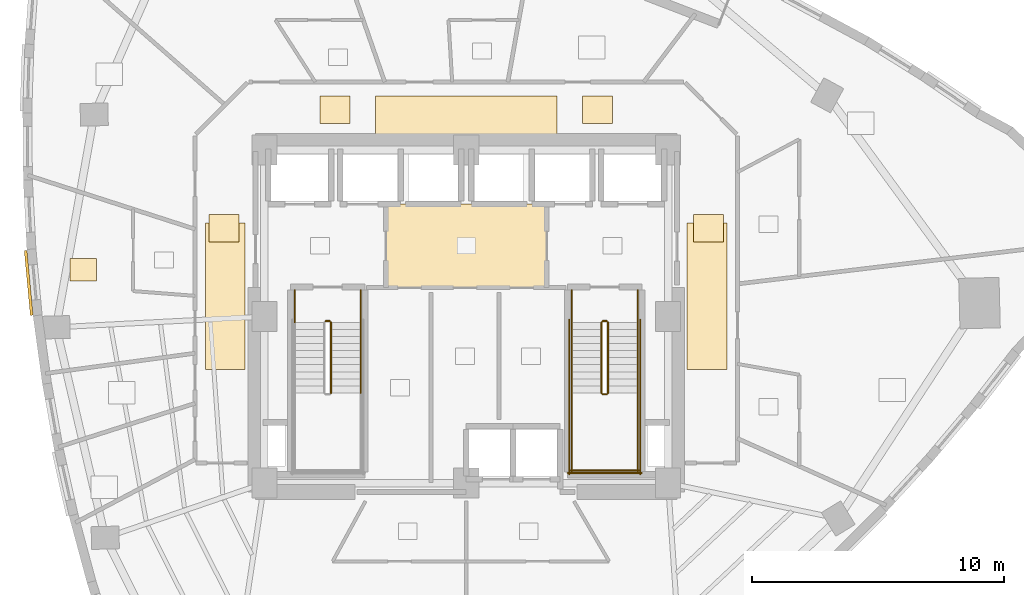
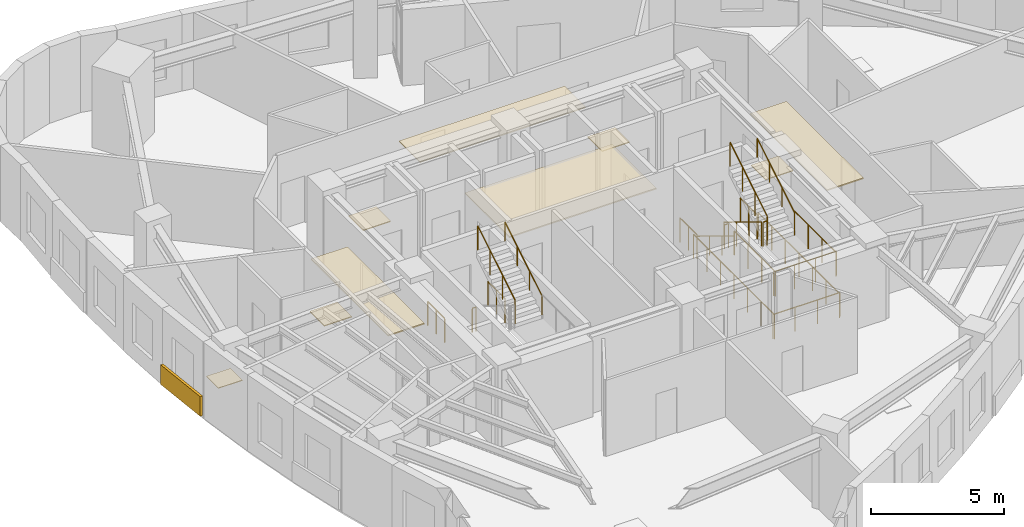
# One storey, part 11 of 12: 19 railings, 10 coverings.
"""IFC4 building model written with IfcOpenShell, lengths in metres."""

from ifc_helpers import new_model, si_unit, direction, frame, origin, origin_2d, place, context, subcontext, project, spatial, rectangle, circle, extrude, material, layer, layer_set, type_object, element, save


model = new_model("IFC4")

# Units and contexts
model_context = context("Model", 3, precision=1e-05, world=origin(), true_north=direction((0.0, 1.0)))
body_context = subcontext(model_context, "Body", "Model", "MODEL_VIEW")
ifc_project = project(units=[si_unit("LENGTHUNIT", "METRE"), si_unit("AREAUNIT", "SQUARE_METRE"), si_unit("VOLUMEUNIT", "CUBIC_METRE"), si_unit("PLANEANGLEUNIT", "RADIAN"), si_unit("MASSUNIT", "GRAM", prefix="KILO")], contexts=[model_context])

# Site, building, storey
site_placement = place(None, origin())
site = spatial("IfcSite", under=ifc_project, at=site_placement, CompositionType="ELEMENT")
building_placement = place(site_placement, origin())
building = spatial("IfcBuilding", under=site, at=building_placement, Name="Ndelora Gate Hotel", CompositionType="ELEMENT")
storey_placement = place(building_placement, frame((0.0, 0.0, 161.0)))
storey = spatial("IfcBuildingStorey", under=building, at=storey_placement, Name="L40", CompositionType="ELEMENT", Elevation=161.0)

# Coverings
ifc_material_1 = material(Name="Perforated Acoustic Gypsum Board", Category="gypsum")
ifc_layer_1 = layer(ifc_material_1, 0.054931640625)
ifc_layer_set_1 = layer_set([ifc_layer_1], Name="Perforated Acoustic Gypsum Board")
covering_type_1 = type_object("IfcCoveringType", Name="COV-CEIL-AC60", PredefinedType="CEILING", material=ifc_layer_set_1)
covering_1_placement = place(storey_placement, frame((0.0, 2.800048828125, 2.72265625), z_axis=(0.0, 0.0, 1.0), x_axis=(1.0, 0.0, 0.0)))
element("IfcCovering", 1, at=covering_1_placement, inside=storey, type_object=covering_type_1, Name="L40 Lift Lobby Acoustic Ceiling", PredefinedType="CEILING", context=body_context, shape_type="SweptSolid", body=[
    extrude(rectangle(XDim=6.39990234375, YDim=3.340087890625, at=origin_2d()), origin(), (0.0, 0.0, 1.0), 0.054931640625),
])
covering_2_placement = place(storey_placement, frame((0.0, 7.9599609375, 2.65234375), z_axis=(0.0, 0.0, 1.0), x_axis=(1.0, 0.0, 0.0)))
element("IfcCovering", 2, at=covering_2_placement, inside=storey, type_object=covering_type_1, Name="L40 Guest Corridor Acoustic Ceiling N", PredefinedType="CEILING", context=body_context, shape_type="SweptSolid", body=[
    extrude(rectangle(XDim=7.199951171875, YDim=1.580078125, at=origin_2d()), origin(), (0.0, 0.0, 1.0), 0.054931640625),
])
for number, where, z_axis, x_axis, name in (
    (3, (-9.550048828125, 0.800048828125, 2.65234375), (0.0, 0.0, 1.0), (1.0, 0.0, 0.0), "L40 Guest Corridor Acoustic Ceiling W"),
    (4, (9.550048828125, 0.800048828125, 2.65234375), (0.0, 0.0, 1.0), (1.0, 0.0, 0.0), "L40 Guest Corridor Acoustic Ceiling E"),
):
    element("IfcCovering", number, at=place(storey_placement, frame(where, z_axis=z_axis, x_axis=x_axis)), inside=storey, type_object=covering_type_1, Name=name, PredefinedType="CEILING", context=body_context, shape_type="SweptSolid", body=[
        extrude(rectangle(XDim=1.580078125, YDim=5.800048828125, at=origin_2d()), origin(), (0.0, 0.0, 1.0), 0.054931640625),
    ])
ifc_material_2 = material(Name="Terracotta Fired Clay Brick Slip Cladding", Category="masonry")
ifc_layer_2 = layer(ifc_material_2, 0.110107421875)
ifc_layer_set_2 = layer_set([ifc_layer_2], Name="Terracotta Fired Clay Brick Slip Cladding")
covering_type_2 = type_object("IfcCoveringType", Name="COV-CLAD-BRK", PredefinedType="CLADDING", material=ifc_layer_set_2)
covering_3_placement = place(storey_placement, frame((-17.343505859375, 1.336669921875, 0.10009765625), z_axis=(0.0, 0.0, 1.0), x_axis=(-0.093239485886, 0.995643710507, 0.0)))
element("IfcCovering", 5, at=covering_3_placement, inside=storey, type_object=covering_type_2, Name="L40 Rounded-Corner Brick Cladding Band 13", PredefinedType="CLADDING", context=body_context, shape_type="SweptSolid", body=[
    extrude(rectangle(XDim=2.583984375, YDim=0.110107421875, at=origin_2d()), origin(), (0.0, 0.0, 1.0), 0.89990234375),
])
ifc_material_3 = material(Name="Engineered Highland Oak Parquet", Category="wood")
ifc_layer_3 = layer(ifc_material_3, 0.030029296875)
ifc_layer_set_3 = layer_set([ifc_layer_3], Name="Engineered Highland Oak Parquet")
covering_type_3 = type_object("IfcCoveringType", Name="COV-FLR-PARQ", PredefinedType="FLOORING", material=ifc_layer_set_3)
covering_4_placement = place(storey_placement, frame((-15.17919921875, 1.85302734375, 0.0), z_axis=(0.0, 0.0, 1.0), x_axis=(1.0, 0.0, 0.0)))
element("IfcCovering", 6, at=covering_4_placement, inside=storey, type_object=covering_type_3, Name="L40 Club Twin Guest Room 4307 Oak Parquet Flooring", PredefinedType="FLOORING", context=body_context, shape_type="SweptSolid", body=[
    extrude(rectangle(XDim=1.050048828125, YDim=0.89990234375, at=origin_2d()), origin(), (0.0, 0.0, 1.0), 0.030029296875),
])
ifc_material_4 = material(Name="Polished Highland Stone Terrazzo", Category="masonry")
ifc_layer_4 = layer(ifc_material_4, 0.034912109375)
ifc_layer_set_4 = layer_set([ifc_layer_4], Name="Polished Highland Stone Terrazzo")
covering_type_4 = type_object("IfcCoveringType", Name="COV-FLR-TERZ", PredefinedType="FLOORING", material=ifc_layer_set_4)
for number, where, z_axis, x_axis, name in (
    (7, (-5.199951171875, 8.199951171875, 0.0), (0.0, 0.0, 1.0), (1.0, 0.0, 0.0), "L40 Corridor Threshold Terrazzo Inlay NW"),
    (8, (5.199951171875, 8.199951171875, 0.0), (0.0, 0.0, 1.0), (1.0, 0.0, 0.0), "L40 Corridor Threshold Terrazzo Inlay NE"),
    (9, (-9.60009765625, 3.5, 0.0), (0.0, 0.0, 1.0), (1.0, 0.0, 0.0), "L40 Corridor Threshold Terrazzo Inlay W"),
    (10, (9.60009765625, 3.5, 0.0), (0.0, 0.0, 1.0), (1.0, 0.0, 0.0), "L40 Corridor Threshold Terrazzo Inlay E"),
):
    element("IfcCovering", number, at=place(storey_placement, frame(where, z_axis=z_axis, x_axis=x_axis)), inside=storey, type_object=covering_type_4, Name=name, PredefinedType="FLOORING", context=body_context, shape_type="SweptSolid", body=[
        extrude(rectangle(XDim=1.199951171875, YDim=1.10009765625, at=origin_2d()), origin(), (0.0, 0.0, 1.0), 0.034912109375),
    ])

# Railings
ifc_material_5 = material(Name="Painted Galvanized Steel Balustrade", Category="steel")
ifc_layer_5 = layer(ifc_material_5, 0.06005859375)
ifc_layer_set_5 = layer_set([ifc_layer_5], Name="Painted Galvanized Steel Balustrade")
railing_type_1 = type_object("IfcRailingType", Name="RL-STAIR-GD", PredefinedType="GUARDRAIL", material=ifc_layer_set_5)
railing_1_placement = place(storey_placement, frame((-5.360107421875, -3.030029296875, 2.04541015625)))
element("IfcRailing", 11, at=railing_1_placement, inside=storey, type_object=railing_type_1, Name="L40 ST4 stair guard 6", PredefinedType="GUARDRAIL", context=body_context, shape_type="SweptSolid", body=[
    extrude(circle(Radius=0.02392578125, at=origin_2d()), frame((0.0, 0.0, 1.10595703125), z_axis=(0.0, 0.854169791009, 0.51999420009), x_axis=(-1.0, 0.0, 0.0)), (0.0, 0.0, 1.0), 3.278076171875),
    extrude(circle(Radius=0.02099609375, at=origin_2d()), origin(), (0.0, 0.0, 1.0), 1.081787109375),
    extrude(circle(Radius=0.02099609375, at=origin_2d()), frame((0.0, 0.933349609375, 0.568115234375)), (0.0, 0.0, 1.0), 1.081787109375),
    extrude(circle(Radius=0.02099609375, at=origin_2d()), frame((0.0, 1.86669921875, 1.136474609375)), (0.0, 0.0, 1.0), 1.081787109375),
    extrude(circle(Radius=0.02099609375, at=origin_2d()), frame((0.0, 2.800048828125, 1.70458984375)), (0.0, 0.0, 1.0), 1.081787109375),
])
railing_2_placement = place(storey_placement, frame((-5.570068359375, -0.179931640625, 0.0)))
element("IfcRailing", 12, at=railing_2_placement, inside=storey, type_object=railing_type_1, Name="L40 ST4 stair guard 7", PredefinedType="GUARDRAIL", context=body_context, shape_type="SweptSolid", body=[
    extrude(circle(Radius=0.02392578125, at=origin_2d()), frame((0.0, 0.0, 1.10595703125), z_axis=(1.0, 0.0, 0.0), x_axis=(0.0, 1.0, 0.0)), (0.0, 0.0, 1.0), 0.16015625),
    extrude(circle(Radius=0.02099609375, at=origin_2d()), origin(), (0.0, 0.0, 1.0), 1.081787109375),
    extrude(circle(Radius=0.02099609375, at=origin_2d()), frame((0.16015625, 0.0, 0.0)), (0.0, 0.0, 1.0), 1.081787109375),
])
for number, where, name in (
    (13, (-6.800048828125, 1.050048828125, 0.0), "L40 ST4 stair guard 8"),
    (14, (-4.179931640625, 1.050048828125, 0.0), "L40 ST4 stair guard 9"),
):
    element("IfcRailing", number, at=place(storey_placement, frame(where)), inside=storey, type_object=railing_type_1, Name=name, PredefinedType="GUARDRAIL", context=body_context, shape_type="SweptSolid", body=[
        extrude(circle(Radius=0.02392578125, at=origin_2d()), frame((0.0, 0.0, 1.10595703125), z_axis=(0.0, -1.0, 0.0), x_axis=(1.0, 0.0, 0.0)), (0.0, 0.0, 1.0), 1.280029296875),
        extrude(circle(Radius=0.02099609375, at=origin_2d()), origin(), (0.0, 0.0, 1.0), 1.081787109375),
        extrude(circle(Radius=0.02099609375, at=origin_2d()), frame((0.0, -0.64013671875, 0.0)), (0.0, 0.0, 1.0), 1.081787109375),
        extrude(circle(Radius=0.02099609375, at=origin_2d()), frame((0.0, -1.280029296875, 0.0)), (0.0, 0.0, 1.0), 1.081787109375),
    ])
railing_3_placement = place(storey_placement, frame((5.360107421875, -0.22998046875, 0.17041015625)))
element("IfcRailing", 15, at=railing_3_placement, inside=storey, type_object=railing_type_1, Name="L40 ST5 stair guard 1", PredefinedType="GUARDRAIL", context=body_context, shape_type="SweptSolid", body=[
    extrude(circle(Radius=0.02392578125, at=origin_2d()), frame((0.0, 0.0, 1.10595703125), z_axis=(0.0, -0.854169791009, 0.51999420009), x_axis=(1.0, 0.0, 0.0)), (0.0, 0.0, 1.0), 3.278076171875),
    extrude(circle(Radius=0.02099609375, at=origin_2d()), origin(), (0.0, 0.0, 1.0), 1.081787109375),
    extrude(circle(Radius=0.02099609375, at=origin_2d()), frame((0.0, -0.933349609375, 0.568115234375)), (0.0, 0.0, 1.0), 1.081787109375),
    extrude(circle(Radius=0.02099609375, at=origin_2d()), frame((0.0, -1.86669921875, 1.136474609375)), (0.0, 0.0, 1.0), 1.081787109375),
    extrude(circle(Radius=0.02099609375, at=origin_2d()), frame((0.0, -2.800048828125, 1.70458984375)), (0.0, 0.0, 1.0), 1.081787109375),
])
railing_4_placement = place(storey_placement, frame((5.409912109375, -3.080078125, 1.875)))
element("IfcRailing", 16, at=railing_4_placement, inside=storey, type_object=railing_type_1, Name="L40 ST5 stair guard 2", PredefinedType="GUARDRAIL", context=body_context, shape_type="SweptSolid", body=[
    extrude(circle(Radius=0.02392578125, at=origin_2d()), frame((0.0, 0.0, 1.10595703125), z_axis=(1.0, 0.0, 0.0), x_axis=(0.0, 1.0, 0.0)), (0.0, 0.0, 1.0), 0.16015625),
    extrude(circle(Radius=0.02099609375, at=origin_2d()), origin(), (0.0, 0.0, 1.0), 1.081787109375),
    extrude(circle(Radius=0.02099609375, at=origin_2d()), frame((0.16015625, 0.0, 0.0)), (0.0, 0.0, 1.0), 1.081787109375),
])
for number, where, name in (
    (17, (4.179931640625, -3.030029296875, 1.875), "L40 ST5 stair guard 3"),
    (18, (6.800048828125, -3.030029296875, 1.875), "L40 ST5 stair guard 4"),
):
    element("IfcRailing", number, at=place(storey_placement, frame(where)), inside=storey, type_object=railing_type_1, Name=name, PredefinedType="GUARDRAIL", context=body_context, shape_type="SweptSolid", body=[
        extrude(circle(Radius=0.02392578125, at=origin_2d()), frame((0.0, 0.0, 1.10595703125), z_axis=(0.0, -1.0, 0.0), x_axis=(1.0, 0.0, 0.0)), (0.0, 0.0, 1.0), 3.119873046875),
        extrude(circle(Radius=0.02099609375, at=origin_2d()), origin(), (0.0, 0.0, 1.0), 1.081787109375),
        extrude(circle(Radius=0.02099609375, at=origin_2d()), frame((0.0, -1.0400390625, 0.0)), (0.0, 0.0, 1.0), 1.081787109375),
        extrude(circle(Radius=0.02099609375, at=origin_2d()), frame((0.0, -2.079833984375, 0.0)), (0.0, 0.0, 1.0), 1.081787109375),
        extrude(circle(Radius=0.02099609375, at=origin_2d()), frame((0.0, -3.119873046875, 0.0)), (0.0, 0.0, 1.0), 1.081787109375),
    ])
railing_5_placement = place(storey_placement, frame((4.1298828125, -6.10009765625, 1.875)))
element("IfcRailing", 19, at=railing_5_placement, inside=storey, type_object=railing_type_1, Name="L40 ST5 stair guard 5", PredefinedType="GUARDRAIL", context=body_context, shape_type="SweptSolid", body=[
    extrude(circle(Radius=0.02392578125, at=origin_2d()), frame((0.0, 0.0, 1.10595703125), z_axis=(1.0, 0.0, 0.0), x_axis=(0.0, 1.0, 0.0)), (0.0, 0.0, 1.0), 2.72021484375),
    extrude(circle(Radius=0.02099609375, at=origin_2d()), origin(), (0.0, 0.0, 1.0), 1.081787109375),
    extrude(circle(Radius=0.02099609375, at=origin_2d()), frame((0.90673828125, 0.0, 0.0)), (0.0, 0.0, 1.0), 1.081787109375),
    extrude(circle(Radius=0.02099609375, at=origin_2d()), frame((1.8134765625, 0.0, 0.0)), (0.0, 0.0, 1.0), 1.081787109375),
    extrude(circle(Radius=0.02099609375, at=origin_2d()), frame((2.72021484375, 0.0, 0.0)), (0.0, 0.0, 1.0), 1.081787109375),
])
railing_6_placement = place(storey_placement, frame((5.6201171875, -3.030029296875, 2.04541015625)))
element("IfcRailing", 20, at=railing_6_placement, inside=storey, type_object=railing_type_1, Name="L40 ST5 stair guard 6", PredefinedType="GUARDRAIL", context=body_context, shape_type="SweptSolid", body=[
    extrude(circle(Radius=0.02392578125, at=origin_2d()), frame((0.0, 0.0, 1.10595703125), z_axis=(0.0, 0.854169791009, 0.51999420009), x_axis=(-1.0, 0.0, 0.0)), (0.0, 0.0, 1.0), 3.278076171875),
    extrude(circle(Radius=0.02099609375, at=origin_2d()), origin(), (0.0, 0.0, 1.0), 1.081787109375),
    extrude(circle(Radius=0.02099609375, at=origin_2d()), frame((0.0, 0.933349609375, 0.568115234375)), (0.0, 0.0, 1.0), 1.081787109375),
    extrude(circle(Radius=0.02099609375, at=origin_2d()), frame((0.0, 1.86669921875, 1.136474609375)), (0.0, 0.0, 1.0), 1.081787109375),
    extrude(circle(Radius=0.02099609375, at=origin_2d()), frame((0.0, 2.800048828125, 1.70458984375)), (0.0, 0.0, 1.0), 1.081787109375),
])
railing_7_placement = place(storey_placement, frame((5.409912109375, -0.179931640625, 0.0)))
element("IfcRailing", 21, at=railing_7_placement, inside=storey, type_object=railing_type_1, Name="L40 ST5 stair guard 7", PredefinedType="GUARDRAIL", context=body_context, shape_type="SweptSolid", body=[
    extrude(circle(Radius=0.02392578125, at=origin_2d()), frame((0.0, 0.0, 1.10595703125), z_axis=(1.0, 0.0, 0.0), x_axis=(0.0, 1.0, 0.0)), (0.0, 0.0, 1.0), 0.16015625),
    extrude(circle(Radius=0.02099609375, at=origin_2d()), origin(), (0.0, 0.0, 1.0), 1.081787109375),
    extrude(circle(Radius=0.02099609375, at=origin_2d()), frame((0.16015625, 0.0, 0.0)), (0.0, 0.0, 1.0), 1.081787109375),
])
for number, where, name in (
    (22, (4.179931640625, 1.050048828125, 0.0), "L40 ST5 stair guard 8"),
    (23, (6.800048828125, 1.050048828125, 0.0), "L40 ST5 stair guard 9"),
):
    element("IfcRailing", number, at=place(storey_placement, frame(where)), inside=storey, type_object=railing_type_1, Name=name, PredefinedType="GUARDRAIL", context=body_context, shape_type="SweptSolid", body=[
        extrude(circle(Radius=0.02392578125, at=origin_2d()), frame((0.0, 0.0, 1.10595703125), z_axis=(0.0, -1.0, 0.0), x_axis=(1.0, 0.0, 0.0)), (0.0, 0.0, 1.0), 1.280029296875),
        extrude(circle(Radius=0.02099609375, at=origin_2d()), origin(), (0.0, 0.0, 1.0), 1.081787109375),
        extrude(circle(Radius=0.02099609375, at=origin_2d()), frame((0.0, -0.64013671875, 0.0)), (0.0, 0.0, 1.0), 1.081787109375),
        extrude(circle(Radius=0.02099609375, at=origin_2d()), frame((0.0, -1.280029296875, 0.0)), (0.0, 0.0, 1.0), 1.081787109375),
    ])
for number, where, name in (
    (24, (4.080078125, -0.1298828125, 0.0), "L40 ST5 stair guard 10"),
    (25, (6.89990234375, -0.1298828125, 0.0), "L40 ST5 stair guard 11"),
):
    element("IfcRailing", number, at=place(storey_placement, frame(where)), inside=storey, type_object=railing_type_1, Name=name, PredefinedType="GUARDRAIL", context=body_context, shape_type="SweptSolid", body=[
        extrude(circle(Radius=0.02392578125, at=origin_2d()), frame((0.0, 0.0, 1.10595703125), z_axis=(0.0, -1.0, 0.0), x_axis=(1.0, 0.0, 0.0)), (0.0, 0.0, 1.0), 6.1201171875),
        extrude(circle(Radius=0.02099609375, at=origin_2d()), origin(), (0.0, 0.0, 1.0), 1.081787109375),
        extrude(circle(Radius=0.02099609375, at=origin_2d()), frame((0.0, -1.02001953125, 0.0)), (0.0, 0.0, 1.0), 1.081787109375),
        extrude(circle(Radius=0.02099609375, at=origin_2d()), frame((0.0, -2.0400390625, 0.0)), (0.0, 0.0, 1.0), 1.081787109375),
        extrude(circle(Radius=0.02099609375, at=origin_2d()), frame((0.0, -3.06005859375, 0.0)), (0.0, 0.0, 1.0), 1.081787109375),
        extrude(circle(Radius=0.02099609375, at=origin_2d()), frame((0.0, -4.080078125, 0.0)), (0.0, 0.0, 1.0), 1.081787109375),
        extrude(circle(Radius=0.02099609375, at=origin_2d()), frame((0.0, -5.10009765625, 0.0)), (0.0, 0.0, 1.0), 1.081787109375),
        extrude(circle(Radius=0.02099609375, at=origin_2d()), frame((0.0, -6.1201171875, 0.0)), (0.0, 0.0, 1.0), 1.081787109375),
    ])
railing_8_placement = place(storey_placement, frame((4.030029296875, -6.199951171875, 0.0)))
element("IfcRailing", 26, at=railing_8_placement, inside=storey, type_object=railing_type_1, Name="L40 ST5 stair guard 12", PredefinedType="GUARDRAIL", context=body_context, shape_type="SweptSolid", body=[
    extrude(circle(Radius=0.02392578125, at=origin_2d()), frame((0.0, 0.0, 1.10595703125), z_axis=(1.0, 0.0, 0.0), x_axis=(0.0, 1.0, 0.0)), (0.0, 0.0, 1.0), 2.919921875),
    extrude(circle(Radius=0.02099609375, at=origin_2d()), origin(), (0.0, 0.0, 1.0), 1.081787109375),
    extrude(circle(Radius=0.02099609375, at=origin_2d()), frame((0.973388671875, 0.0, 0.0)), (0.0, 0.0, 1.0), 1.081787109375),
    extrude(circle(Radius=0.02099609375, at=origin_2d()), frame((1.946533203125, 0.0, 0.0)), (0.0, 0.0, 1.0), 1.081787109375),
    extrude(circle(Radius=0.02099609375, at=origin_2d()), frame((2.919921875, 0.0, 0.0)), (0.0, 0.0, 1.0), 1.081787109375),
])
ifc_material_6 = material(Name="Brushed Stainless Steel 316", Category="steel")
ifc_layer_6 = layer(ifc_material_6, 0.050048828125)
ifc_layer_set_6 = layer_set([ifc_layer_6], Name="Brushed Stainless Steel 316")
railing_type_2 = type_object("IfcRailingType", Name="RL-STAIR-HR", PredefinedType="HANDRAIL", material=ifc_layer_set_6)
railing_9_placement = place(storey_placement, frame((-4.179931640625, -3.030029296875, 2.04541015625)))
element("IfcRailing", 27, at=railing_9_placement, inside=storey, type_object=railing_type_2, Name="L40 ST4 stair handrail 2", PredefinedType="HANDRAIL", context=body_context, shape_type="SweptSolid", body=[
    extrude(circle(Radius=0.02392578125, at=origin_2d()), frame((0.0, 0.0, 0.8759765625), z_axis=(0.0, 0.854169791009, 0.51999420009), x_axis=(-1.0, 0.0, 0.0)), (0.0, 0.0, 1.0), 3.278076171875),
    extrude(circle(Radius=0.02099609375, at=origin_2d()), origin(), (0.0, 0.0, 1.0), 0.851806640625),
    extrude(circle(Radius=0.02099609375, at=origin_2d()), frame((0.0, 0.933349609375, 0.568115234375)), (0.0, 0.0, 1.0), 0.851806640625),
    extrude(circle(Radius=0.02099609375, at=origin_2d()), frame((0.0, 1.86669921875, 1.136474609375)), (0.0, 0.0, 1.0), 0.851806640625),
    extrude(circle(Radius=0.02099609375, at=origin_2d()), frame((0.0, 2.800048828125, 1.70458984375)), (0.0, 0.0, 1.0), 0.851806640625),
])
railing_10_placement = place(storey_placement, frame((4.179931640625, -0.22998046875, 0.17041015625)))
element("IfcRailing", 28, at=railing_10_placement, inside=storey, type_object=railing_type_2, Name="L40 ST5 stair handrail 1", PredefinedType="HANDRAIL", context=body_context, shape_type="SweptSolid", body=[
    extrude(circle(Radius=0.02392578125, at=origin_2d()), frame((0.0, 0.0, 0.8759765625), z_axis=(0.0, -0.854169791009, 0.51999420009), x_axis=(1.0, 0.0, 0.0)), (0.0, 0.0, 1.0), 3.278076171875),
    extrude(circle(Radius=0.02099609375, at=origin_2d()), origin(), (0.0, 0.0, 1.0), 0.851806640625),
    extrude(circle(Radius=0.02099609375, at=origin_2d()), frame((0.0, -0.933349609375, 0.568115234375)), (0.0, 0.0, 1.0), 0.851806640625),
    extrude(circle(Radius=0.02099609375, at=origin_2d()), frame((0.0, -1.86669921875, 1.136474609375)), (0.0, 0.0, 1.0), 0.851806640625),
    extrude(circle(Radius=0.02099609375, at=origin_2d()), frame((0.0, -2.800048828125, 1.70458984375)), (0.0, 0.0, 1.0), 0.851806640625),
])
railing_11_placement = place(storey_placement, frame((6.800048828125, -3.030029296875, 2.04541015625)))
element("IfcRailing", 29, at=railing_11_placement, inside=storey, type_object=railing_type_2, Name="L40 ST5 stair handrail 2", PredefinedType="HANDRAIL", context=body_context, shape_type="SweptSolid", body=[
    extrude(circle(Radius=0.02392578125, at=origin_2d()), frame((0.0, 0.0, 0.8759765625), z_axis=(0.0, 0.854169791009, 0.51999420009), x_axis=(-1.0, 0.0, 0.0)), (0.0, 0.0, 1.0), 3.278076171875),
    extrude(circle(Radius=0.02099609375, at=origin_2d()), origin(), (0.0, 0.0, 1.0), 0.851806640625),
    extrude(circle(Radius=0.02099609375, at=origin_2d()), frame((0.0, 0.933349609375, 0.568115234375)), (0.0, 0.0, 1.0), 0.851806640625),
    extrude(circle(Radius=0.02099609375, at=origin_2d()), frame((0.0, 1.86669921875, 1.136474609375)), (0.0, 0.0, 1.0), 0.851806640625),
    extrude(circle(Radius=0.02099609375, at=origin_2d()), frame((0.0, 2.800048828125, 1.70458984375)), (0.0, 0.0, 1.0), 0.851806640625),
])

save(model, "model.ifc")
